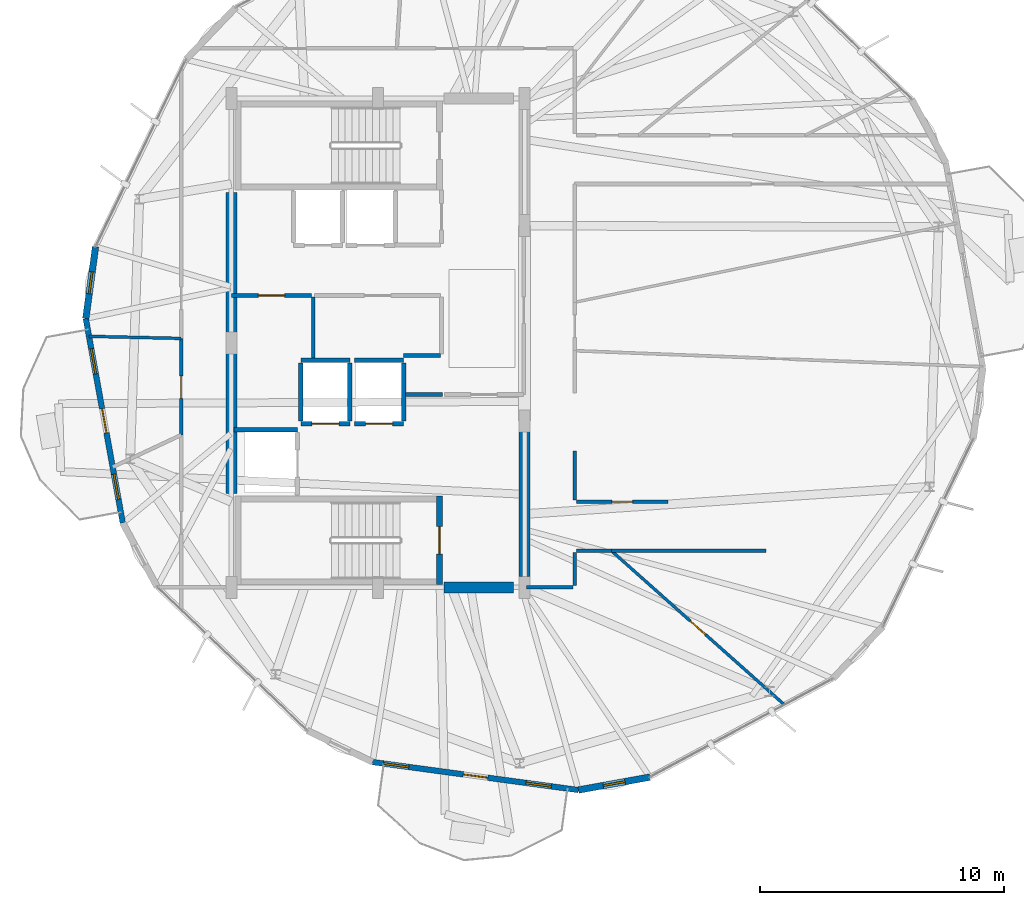
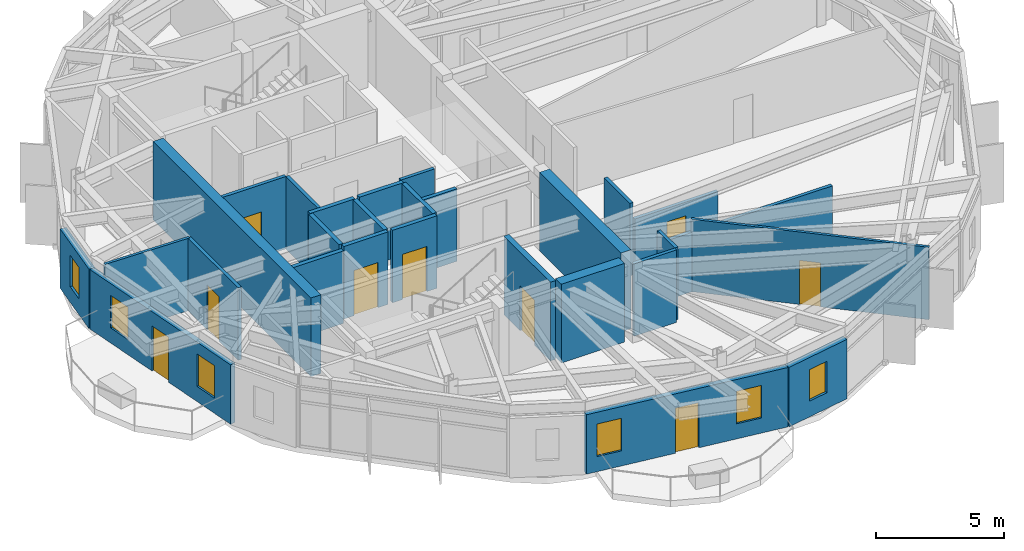
# One storey, part 21 of 26: 29 walls, 9 doors, 6 windows, 15 openings.
"""IFC4 building model written with IfcOpenShell, lengths in metres."""

from ifc_helpers import new_model, si_unit, direction, frame, frame_2d, origin, place, context, subcontext, project, spatial, rectangle, extrude, material, layer, layer_set, type_object, element, fill, save


model = new_model("IFC4")

# Units and contexts
model_context = context("Model", 3, precision=1e-05, world=origin(), true_north=direction((0.0, 1.0)))
body_context = subcontext(model_context, "Body", "Model", "MODEL_VIEW")
ifc_project = project(units=[si_unit("LENGTHUNIT", "METRE"), si_unit("AREAUNIT", "SQUARE_METRE"), si_unit("VOLUMEUNIT", "CUBIC_METRE"), si_unit("PLANEANGLEUNIT", "RADIAN"), si_unit("MASSUNIT", "GRAM", prefix="KILO")], contexts=[model_context])

# Site, building, storey
site_placement = place(None, origin())
site = spatial("IfcSite", under=ifc_project, at=site_placement, CompositionType="ELEMENT")
building_placement = place(site_placement, origin())
building = spatial("IfcBuilding", under=site, at=building_placement, Name="Soratama Intermodal Tower", CompositionType="ELEMENT")
storey_placement = place(building_placement, frame((0.0, 0.0, 268.75)))
storey = spatial("IfcBuildingStorey", under=building, at=storey_placement, Name="L68", CompositionType="ELEMENT", Elevation=268.75)

# Wall, openings, door, windows
ifc_material_1 = material(Name="Concrete f'c 42 MPa", Category="concrete")
ifc_layer_1 = layer(ifc_material_1, 0.22998046875)
ifc_layer_set_1 = layer_set([ifc_layer_1], Name="Concrete f'c 42 MPa")
wall_type_1 = type_object("IfcWallType", Name="EW-BAL-230", PredefinedType="SOLIDWALL", material=ifc_layer_set_1)
wall_1_placement = place(storey_placement, frame((26.649169921875, 25.997314453125, 0.0), z_axis=(0.0, 0.0, 1.0), x_axis=(0.178109410328, -0.984010689958, 0.0)))
wall_1 = element("IfcWall", 1, at=wall_1_placement, inside=storey, type_object=wall_type_1, Name="L68 Terrace Wall F04", PredefinedType="SOLIDWALL", context=body_context, shape_type="SweptSolid", body=[
    extrude(rectangle(XDim=8.5, YDim=0.22998046875, at=frame_2d((4.25, 0.0))), origin(), (0.0, 0.0, 1.0), 2.8291015625),
])
opening_1_placement = place(wall_1_placement, frame((3.75, 0.0, 0.0)))
opening_1 = element("IfcOpeningElement", 2, at=opening_1_placement, cuts=wall_1, Name="Opening ED-2", PredefinedType="OPENING", context=body_context, shape_type="SweptSolid", body=[
    extrude(rectangle(XDim=1.0, YDim=2.14990234375, at=frame_2d((0.5, 1.074951171875))), frame((0.0, 0.125, 0.0), z_axis=(0.0, -1.0, 0.0), x_axis=(1.0, 0.0, 0.0)), (0.0, 0.0, 1.0), 0.25),
])
opening_2_placement = place(wall_1_placement, frame((1.25, 0.0, 0.719970703125)))
opening_2 = element("IfcOpeningElement", 3, at=opening_2_placement, cuts=wall_1, Name="Opening WN-5", PredefinedType="OPENING", context=body_context, shape_type="SweptSolid", body=[
    extrude(rectangle(XDim=1.050048828125, YDim=1.550048828125, at=frame_2d((0.52490234375, 0.77490234375))), frame((0.0, 0.125, 0.0), z_axis=(0.0, -1.0, 0.0), x_axis=(1.0, 0.0, 0.0)), (0.0, 0.0, 1.0), 0.25),
])
opening_3_placement = place(wall_1_placement, frame((6.4697265625, 0.0, 0.719970703125)))
opening_3 = element("IfcOpeningElement", 4, at=opening_3_placement, cuts=wall_1, Name="Opening WN-5", PredefinedType="OPENING", context=body_context, shape_type="SweptSolid", body=[
    extrude(rectangle(XDim=1.050048828125, YDim=1.550048828125, at=frame_2d((0.52490234375, 0.77490234375))), frame((0.0, 0.125, 0.0), z_axis=(0.0, -1.0, 0.0), x_axis=(1.0, 0.0, 0.0)), (0.0, 0.0, 1.0), 0.25),
])
ifc_material_2 = material(Name="Double-glazed aluminium door", Category="aluminium")
door_type_1 = type_object("IfcDoorType", Name="DR-BAL-1000", OperationType="NOTDEFINED", PredefinedType="DOOR", material=ifc_material_2)
door_1_placement = place(opening_1_placement, origin())
door_1 = element("IfcDoor", 5, at=door_1_placement, inside=storey, type_object=door_type_1, Name="L68 Balcony Door F04", OperationType="SINGLE_SWING_RIGHT", OverallHeight=2.14990234375, OverallWidth=1.0, PredefinedType="DOOR", context=body_context, shape_type="SweptSolid", body=[
    extrude(rectangle(XDim=1.0, YDim=2.14990234375, at=frame_2d((0.5, 1.074951171875))), frame((0.0, 0.02490234375, 0.0), z_axis=(0.0, -1.0, 0.0), x_axis=(1.0, 0.0, 0.0)), (0.0, 0.0, 1.0), 0.050048828125),
])
fill(opening_1, door_1)
ifc_material_3 = material(Name="Double-glazed aluminium window", Category="aluminium")
window_type_1 = type_object("IfcWindowType", Name="WN-FAC-1050", PartitioningType="SINGLE_PANEL", PredefinedType="WINDOW", material=ifc_material_3)
window_1_placement = place(opening_2_placement, origin())
window_1 = element("IfcWindow", 6, at=window_1_placement, inside=storey, type_object=window_type_1, Name="L68 Window A F04", OverallHeight=1.550048828125, OverallWidth=1.050048828125, PartitioningType="SINGLE_PANEL", PredefinedType="WINDOW", context=body_context, shape_type="SweptSolid", body=[
    extrude(rectangle(XDim=1.050048828125, YDim=1.550048828125, at=frame_2d((0.52490234375, 0.77490234375))), frame((0.0, 0.030029296875, 0.0), z_axis=(0.0, -1.0, 0.0), x_axis=(1.0, 0.0, 0.0)), (0.0, 0.0, 1.0), 0.06005859375),
])
fill(opening_2, window_1)
window_2_placement = place(opening_3_placement, origin())
window_2 = element("IfcWindow", 7, at=window_2_placement, inside=storey, type_object=window_type_1, Name="L68 Window B F04", OverallHeight=1.550048828125, OverallWidth=1.050048828125, PartitioningType="SINGLE_PANEL", PredefinedType="WINDOW", context=body_context, shape_type="SweptSolid", body=[
    extrude(rectangle(XDim=1.050048828125, YDim=1.550048828125, at=frame_2d((0.52490234375, 0.77490234375))), frame((0.0, 0.030029296875, 0.0), z_axis=(0.0, -1.0, 0.0), x_axis=(1.0, 0.0, 0.0)), (0.0, 0.0, 1.0), 0.06005859375),
])
fill(opening_3, window_2)

wall_2_placement = place(storey_placement, frame((38.380859375, 7.85546875, 0.0), z_axis=(0.0, 0.0, 1.0), x_axis=(0.990888802367, -0.134682520561, 0.0)))
wall_2 = element("IfcWall", 8, at=wall_2_placement, inside=storey, type_object=wall_type_1, Name="L68 Terrace Wall F06", PredefinedType="SOLIDWALL", context=body_context, shape_type="SweptSolid", body=[
    extrude(rectangle(XDim=8.499755859375, YDim=0.22998046875, at=frame_2d((4.25, 0.0))), origin(), (0.0, 0.0, 1.0), 2.8291015625),
])
opening_4_placement = place(wall_2_placement, frame((3.75, 0.0, 0.0)))
opening_4 = element("IfcOpeningElement", 9, at=opening_4_placement, cuts=wall_2, Name="Opening ED-2", PredefinedType="OPENING", context=body_context, shape_type="SweptSolid", body=[
    extrude(rectangle(XDim=1.0, YDim=2.14990234375, at=frame_2d((0.5, 1.074951171875))), frame((0.0, 0.125, 0.0), z_axis=(0.0, -1.0, 0.0), x_axis=(1.0, 0.0, 0.0)), (0.0, 0.0, 1.0), 0.25),
])
opening_5_placement = place(wall_2_placement, frame((0.43994140625, 0.0, 0.719970703125)))
opening_5 = element("IfcOpeningElement", 10, at=opening_5_placement, cuts=wall_2, Name="Opening WN-5", PredefinedType="OPENING", context=body_context, shape_type="SweptSolid", body=[
    extrude(rectangle(XDim=1.050048828125, YDim=1.550048828125, at=frame_2d((0.52490234375, 0.77490234375))), frame((0.0, 0.125, 0.0), z_axis=(0.0, -1.0, 0.0), x_axis=(1.0, 0.0, 0.0)), (0.0, 0.0, 1.0), 0.25),
])
opening_6_placement = place(wall_2_placement, frame((6.3349609375, 0.0, 0.719970703125)))
opening_6 = element("IfcOpeningElement", 11, at=opening_6_placement, cuts=wall_2, Name="Opening WN-5", PredefinedType="OPENING", context=body_context, shape_type="SweptSolid", body=[
    extrude(rectangle(XDim=1.050048828125, YDim=1.550048828125, at=frame_2d((0.52490234375, 0.77490234375))), frame((0.0, 0.125, 0.0), z_axis=(0.0, -1.0, 0.0), x_axis=(1.0, 0.0, 0.0)), (0.0, 0.0, 1.0), 0.25),
])
door_2_placement = place(opening_4_placement, origin())
door_2 = element("IfcDoor", 12, at=door_2_placement, inside=storey, type_object=door_type_1, Name="L68 Balcony Door F06", OperationType="SINGLE_SWING_RIGHT", OverallHeight=2.14990234375, OverallWidth=1.0, PredefinedType="DOOR", context=body_context, shape_type="SweptSolid", body=[
    extrude(rectangle(XDim=1.0, YDim=2.14990234375, at=frame_2d((0.5, 1.074951171875))), frame((0.0, 0.02490234375, 0.0), z_axis=(0.0, -1.0, 0.0), x_axis=(1.0, 0.0, 0.0)), (0.0, 0.0, 1.0), 0.050048828125),
])
fill(opening_4, door_2)
window_3_placement = place(opening_5_placement, origin())
window_3 = element("IfcWindow", 13, at=window_3_placement, inside=storey, type_object=window_type_1, Name="L68 Window A F06", OverallHeight=1.550048828125, OverallWidth=1.050048828125, PartitioningType="SINGLE_PANEL", PredefinedType="WINDOW", context=body_context, shape_type="SweptSolid", body=[
    extrude(rectangle(XDim=1.050048828125, YDim=1.550048828125, at=frame_2d((0.52490234375, 0.77490234375))), frame((0.0, 0.030029296875, 0.0), z_axis=(0.0, -1.0, 0.0), x_axis=(1.0, 0.0, 0.0)), (0.0, 0.0, 1.0), 0.06005859375),
])
fill(opening_5, window_3)
window_4_placement = place(opening_6_placement, origin())
window_4 = element("IfcWindow", 14, at=window_4_placement, inside=storey, type_object=window_type_1, Name="L68 Window B F06", OverallHeight=1.550048828125, OverallWidth=1.050048828125, PartitioningType="SINGLE_PANEL", PredefinedType="WINDOW", context=body_context, shape_type="SweptSolid", body=[
    extrude(rectangle(XDim=1.050048828125, YDim=1.550048828125, at=frame_2d((0.52490234375, 0.77490234375))), frame((0.0, 0.030029296875, 0.0), z_axis=(0.0, -1.0, 0.0), x_axis=(1.0, 0.0, 0.0)), (0.0, 0.0, 1.0), 0.06005859375),
])
fill(opening_6, window_4)

# Wall, opening, window
ifc_material_4 = material(Name="Concrete f'c 42 MPa", Category="concrete")
ifc_layer_2 = layer(ifc_material_4, 0.27001953125)
ifc_layer_set_2 = layer_set([ifc_layer_2], Name="Concrete f'c 42 MPa")
wall_type_2 = type_object("IfcWallType", Name="EW-CRN-270", PredefinedType="SOLIDWALL", material=ifc_layer_set_2)
wall_3_placement = place(storey_placement, frame((27.048583984375, 28.936767578125, 0.0), z_axis=(0.0, 0.0, 1.0), x_axis=(-0.134643093572, -0.99089416052, 0.0)))
wall_3 = element("IfcWall", 15, at=wall_3_placement, inside=storey, type_object=wall_type_2, Name="L68 Corner Closure Wall 03", PredefinedType="SOLIDWALL", context=body_context, shape_type="SweptSolid", body=[
    extrude(rectangle(XDim=2.966552734375, YDim=0.27001953125, at=frame_2d((1.4833984375, 0.0))), origin(), (0.0, 0.0, 1.0), 2.8291015625),
])
opening_7_placement = place(wall_3_placement, frame((1.033203125, 0.0, 0.75)))
opening_7 = element("IfcOpeningElement", 16, at=opening_7_placement, cuts=wall_3, Name="Opening WN-6", PredefinedType="OPENING", context=body_context, shape_type="SweptSolid", body=[
    extrude(rectangle(XDim=0.89990234375, YDim=1.5, at=frame_2d((0.449951171875, 0.75))), frame((0.0, 0.14501953125, 0.0), z_axis=(0.0, -1.0, 0.0), x_axis=(1.0, 0.0, 0.0)), (0.0, 0.0, 1.0), 0.2900390625),
])
ifc_material_5 = material(Name="Double-glazed aluminium window", Category="aluminium")
window_type_2 = type_object("IfcWindowType", Name="WN-FAC-900", PartitioningType="SINGLE_PANEL", PredefinedType="WINDOW", material=ifc_material_5)
window_5_placement = place(opening_7_placement, origin())
window_5 = element("IfcWindow", 17, at=window_5_placement, inside=storey, type_object=window_type_2, Name="L68 Corner Window 03", OverallHeight=1.5, OverallWidth=0.89990234375, PartitioningType="SINGLE_PANEL", PredefinedType="WINDOW", context=body_context, shape_type="SweptSolid", body=[
    extrude(rectangle(XDim=0.89990234375, YDim=1.5, at=frame_2d((0.449951171875, 0.75))), frame((0.0, 0.030029296875, 0.0), z_axis=(0.0, -1.0, 0.0), x_axis=(1.0, 0.0, 0.0)), (0.0, 0.0, 1.0), 0.06005859375),
])
fill(opening_7, window_5)

wall_4_placement = place(storey_placement, frame((46.80322265625, 6.710693359375, 0.0), z_axis=(0.0, 0.0, 1.0), x_axis=(0.984014428721, 0.178088753346, 0.0)))
wall_4 = element("IfcWall", 18, at=wall_4_placement, inside=storey, type_object=wall_type_2, Name="L68 Corner Closure Wall 06", PredefinedType="SOLIDWALL", context=body_context, shape_type="SweptSolid", body=[
    extrude(rectangle(XDim=2.966552734375, YDim=0.27001953125, at=frame_2d((1.4833984375, 0.0))), origin(), (0.0, 0.0, 1.0), 2.8291015625),
])
opening_8_placement = place(wall_4_placement, frame((1.033203125, 0.0, 0.75)))
opening_8 = element("IfcOpeningElement", 19, at=opening_8_placement, cuts=wall_4, Name="Opening WN-6", PredefinedType="OPENING", context=body_context, shape_type="SweptSolid", body=[
    extrude(rectangle(XDim=0.89990234375, YDim=1.5, at=frame_2d((0.449951171875, 0.75))), frame((0.0, 0.14501953125, 0.0), z_axis=(0.0, -1.0, 0.0), x_axis=(1.0, 0.0, 0.0)), (0.0, 0.0, 1.0), 0.2900390625),
])
window_6_placement = place(opening_8_placement, origin())
window_6 = element("IfcWindow", 20, at=window_6_placement, inside=storey, type_object=window_type_2, Name="L68 Corner Window 06", OverallHeight=1.5, OverallWidth=0.89990234375, PartitioningType="SINGLE_PANEL", PredefinedType="WINDOW", context=body_context, shape_type="SweptSolid", body=[
    extrude(rectangle(XDim=0.89990234375, YDim=1.5, at=frame_2d((0.449951171875, 0.75))), frame((0.0, 0.030029296875, 0.0), z_axis=(0.0, -1.0, 0.0), x_axis=(1.0, 0.0, 0.0)), (0.0, 0.0, 1.0), 0.06005859375),
])
fill(opening_8, window_6)

# Wall, opening, door
ifc_material_6 = material(Name="Fire-rated gypsum stud partition", Category="concrete")
ifc_layer_3 = layer(ifc_material_6, 0.14990234375)
ifc_layer_set_3 = layer_set([ifc_layer_3], Name="Fire-rated gypsum stud partition")
wall_type_3 = type_object("IfcWallType", Name="IW-PART-R150", PredefinedType="PARTITIONING", material=ifc_layer_set_3)
wall_5_placement = place(storey_placement, frame((30.550048828125, 21.23388671875, 0.0), z_axis=(0.0, 0.0, 1.0), x_axis=(0.0, 1.0, 0.0)))
wall_5 = element("IfcWall", 21, at=wall_5_placement, inside=storey, type_object=wall_type_3, Name="L68 Partition W-L68-TP019", PredefinedType="PARTITIONING", context=body_context, shape_type="SweptSolid", body=[
    extrude(rectangle(XDim=3.951171875, YDim=0.14990234375, at=frame_2d((1.9755859375, 0.0))), origin(), (0.0, 0.0, 1.0), 3.449951171875),
])
opening_9_placement = place(wall_5_placement, frame((1.5, 0.0, 0.0)))
opening_9 = element("IfcOpeningElement", 22, at=opening_9_placement, cuts=wall_5, Name="Opening ID-6", PredefinedType="OPENING", context=body_context, shape_type="SweptSolid", body=[
    extrude(rectangle(XDim=0.919921875, YDim=2.1201171875, at=frame_2d((0.4599609375, 1.06005859375))), frame((0.0, 0.0849609375, 0.0), z_axis=(0.0, -1.0, 0.0), x_axis=(1.0, 0.0, 0.0)), (0.0, 0.0, 1.0), 0.169921875),
])
ifc_material_7 = material(Name="Solid hardwood acoustic door", Category="wood")
door_type_2 = type_object("IfcDoorType", Name="DR-ROOM-920", OperationType="NOTDEFINED", PredefinedType="DOOR", material=ifc_material_7)
door_3_placement = place(opening_9_placement, origin())
door_3 = element("IfcDoor", 23, at=door_3_placement, inside=storey, type_object=door_type_2, Name="L68 Door D-L68-TP010", OperationType="SINGLE_SWING_LEFT", OverallHeight=2.1201171875, OverallWidth=0.919921875, PredefinedType="DOOR", context=body_context, shape_type="SweptSolid", body=[
    extrude(rectangle(XDim=0.919921875, YDim=2.1201171875, at=frame_2d((0.4599609375, 1.06005859375))), frame((0.0, 0.02490234375, 0.0), z_axis=(0.0, -1.0, 0.0), x_axis=(1.0, 0.0, 0.0)), (0.0, 0.0, 1.0), 0.050048828125),
])
fill(opening_9, door_3)

wall_6_placement = place(storey_placement, frame((35.889892578125, 26.93994140625, 0.0), z_axis=(0.0, 0.0, 1.0), x_axis=(-1.0, 0.0, 0.0)))
wall_6 = element("IfcWall", 24, at=wall_6_placement, inside=storey, type_object=wall_type_3, Name="L68 Partition W-L68-TP021", PredefinedType="PARTITIONING", context=body_context, shape_type="SweptSolid", body=[
    extrude(rectangle(XDim=3.289794921875, YDim=0.14990234375, at=frame_2d((1.64501953125, 0.0))), origin(), (0.0, 0.0, 1.0), 3.449951171875),
])
opening_10_placement = place(wall_6_placement, frame((1.10498046875, 0.0, 0.0)))
opening_10 = element("IfcOpeningElement", 25, at=opening_10_placement, cuts=wall_6, Name="Opening ID-1", PredefinedType="OPENING", context=body_context, shape_type="SweptSolid", body=[
    extrude(rectangle(XDim=1.080078125, YDim=2.14990234375, at=frame_2d((0.5400390625, 1.074951171875))), frame((0.0, 0.0849609375, 0.0), z_axis=(0.0, -1.0, 0.0), x_axis=(1.0, 0.0, 0.0)), (0.0, 0.0, 1.0), 0.169921875),
])
ifc_material_8 = material(Name="Solid hardwood acoustic door", Category="wood")
door_type_3 = type_object("IfcDoorType", Name="DR-LOB-FD60", OperationType="NOTDEFINED", PredefinedType="DOOR", material=ifc_material_8)
door_4_placement = place(opening_10_placement, origin())
door_4 = element("IfcDoor", 26, at=door_4_placement, inside=storey, type_object=door_type_3, Name="L68 Door D-L68-TP011", OperationType="SINGLE_SWING_RIGHT", OverallHeight=2.14990234375, OverallWidth=1.080078125, PredefinedType="DOOR", context=body_context, shape_type="SweptSolid", body=[
    extrude(rectangle(XDim=1.080078125, YDim=2.14990234375, at=frame_2d((0.5400390625, 1.074951171875))), frame((0.0, 0.02490234375, 0.0), z_axis=(0.0, -1.0, 0.0), x_axis=(1.0, 0.0, 0.0)), (0.0, 0.0, 1.0), 0.050048828125),
])
fill(opening_10, door_4)

# Walls
wall_7_placement = place(storey_placement, frame((35.949951171875, 26.8798828125, 0.0), z_axis=(0.0, 0.0, 1.0), x_axis=(0.0, -1.0, 0.0)))
element("IfcWall", 27, at=wall_7_placement, inside=storey, type_object=wall_type_3, Name="L68 Partition W-L68-TP026", PredefinedType="PARTITIONING", context=body_context, shape_type="SweptSolid", body=[
    extrude(rectangle(XDim=2.579833984375, YDim=0.14990234375, at=frame_2d((1.2900390625, 0.0))), origin(), (0.0, 0.0, 1.0), 3.449951171875),
])
wall_8_placement = place(storey_placement, frame((46.580078125, 15.0, 0.0), z_axis=(0.0, 0.0, 1.0), x_axis=(-1.0, 0.0, 0.0)))
element("IfcWall", 28, at=wall_8_placement, inside=storey, type_object=wall_type_3, Name="L68 Partition W-L68-TP031", PredefinedType="PARTITIONING", context=body_context, shape_type="SweptSolid", body=[
    extrude(rectangle(XDim=1.91015625, YDim=0.14990234375, at=frame_2d((0.955078125, 0.0))), origin(), (0.0, 0.0, 1.0), 3.449951171875),
])
wall_9_placement = place(storey_placement, frame((39.64990234375, 24.485107421875, 0.0), z_axis=(0.0, 0.0, 1.0), x_axis=(1.0, 0.0, 0.0)))
element("IfcWall", 29, at=wall_9_placement, inside=storey, type_object=wall_type_3, Name="L68 Partition W-L68-TP036", PredefinedType="PARTITIONING", context=body_context, shape_type="SweptSolid", body=[
    extrude(rectangle(XDim=1.510009765625, YDim=0.14990234375, at=frame_2d((0.7548828125, 0.0))), origin(), (0.0, 0.0, 1.0), 3.449951171875),
])
wall_10_placement = place(storey_placement, frame((48.14892578125, 16.5, 0.0), z_axis=(0.0, 0.0, 1.0), x_axis=(-1.0, 0.0, 0.0)))
element("IfcWall", 30, at=wall_10_placement, inside=storey, type_object=wall_type_3, Name="L68 Partition W-L68-TP037", PredefinedType="PARTITIONING", context=body_context, shape_type="SweptSolid", body=[
    extrude(rectangle(XDim=1.428955078125, YDim=0.14990234375, at=frame_2d((0.71435546875, 0.0))), origin(), (0.0, 0.0, 1.0), 2.827880859375),
])
wall_11_placement = place(storey_placement, frame((46.64990234375, 16.429931640625, 0.0), z_axis=(0.0, 0.0, 1.0), x_axis=(0.0, -1.0, 0.0)))
element("IfcWall", 31, at=wall_11_placement, inside=storey, type_object=wall_type_3, Name="L68 Partition W-L68-TP038", PredefinedType="PARTITIONING", context=body_context, shape_type="SweptSolid", body=[
    extrude(rectangle(XDim=1.35986328125, YDim=0.14990234375, at=frame_2d((0.679931640625, 0.0))), origin(), (0.0, 0.0, 1.0), 3.449951171875),
])
wall_12_placement = place(storey_placement, frame((54.471923828125, 16.5, 0.0), z_axis=(0.0, 0.0, 1.0), x_axis=(-1.0, 0.0, 0.0)))
element("IfcWall", 32, at=wall_12_placement, inside=storey, type_object=wall_type_3, Name="L68 Partition W-L68-TP039", PredefinedType="PARTITIONING", context=body_context, shape_type="SweptSolid", body=[
    extrude(rectangle(XDim=6.322998046875, YDim=0.14990234375, at=frame_2d((3.16162109375, 0.0))), origin(), (0.0, 0.0, 1.0), 2.827880859375),
])

# Wall, opening, door
wall_13_placement = place(storey_placement, frame((46.719970703125, 18.5, 0.0), z_axis=(0.0, 0.0, 1.0), x_axis=(1.0, 0.0, 0.0)))
wall_13 = element("IfcWall", 33, at=wall_13_placement, inside=storey, type_object=wall_type_3, Name="L68 Partition W-L68-TP040", PredefinedType="PARTITIONING", context=body_context, shape_type="SweptSolid", body=[
    extrude(rectangle(XDim=3.7509765625, YDim=0.14990234375, at=frame_2d((1.87548828125, 0.0))), origin(), (0.0, 0.0, 1.0), 2.7451171875),
])
opening_11_placement = place(wall_13_placement, frame((1.449951171875, 0.0, 0.0)))
opening_11 = element("IfcOpeningElement", 34, at=opening_11_placement, cuts=wall_13, Name="Opening ID-4", PredefinedType="OPENING", context=body_context, shape_type="SweptSolid", body=[
    extrude(rectangle(XDim=0.85009765625, YDim=2.10009765625, at=frame_2d((0.425048828125, 1.050048828125))), frame((0.0, 0.0849609375, 0.0), z_axis=(0.0, -1.0, 0.0), x_axis=(1.0, 0.0, 0.0)), (0.0, 0.0, 1.0), 0.169921875),
])
ifc_material_9 = material(Name="Solid hardwood acoustic door", Category="wood")
door_type_4 = type_object("IfcDoorType", Name="DR-BATH-850", OperationType="NOTDEFINED", PredefinedType="DOOR", material=ifc_material_9)
door_5_placement = place(opening_11_placement, origin())
door_5 = element("IfcDoor", 35, at=door_5_placement, inside=storey, type_object=door_type_4, Name="L68 Door D-L68-TP018", OperationType="SINGLE_SWING_LEFT", OverallHeight=2.10009765625, OverallWidth=0.85009765625, PredefinedType="DOOR", context=body_context, shape_type="SweptSolid", body=[
    extrude(rectangle(XDim=0.85009765625, YDim=2.10009765625, at=frame_2d((0.425048828125, 1.050048828125))), frame((0.0, 0.02490234375, 0.0), z_axis=(0.0, -1.0, 0.0), x_axis=(1.0, 0.0, 0.0)), (0.0, 0.0, 1.0), 0.050048828125),
])
fill(opening_11, door_5)

# Walls
wall_14_placement = place(storey_placement, frame((46.64990234375, 20.576904296875, 0.0), z_axis=(0.0, 0.0, 1.0), x_axis=(0.0, -1.0, 0.0)))
element("IfcWall", 36, at=wall_14_placement, inside=storey, type_object=wall_type_3, Name="L68 Partition W-L68-TP041", PredefinedType="PARTITIONING", context=body_context, shape_type="SweptSolid", body=[
    extrude(rectangle(XDim=2.0068359375, YDim=0.14990234375, at=frame_2d((1.00341796875, 0.0))), origin(), (0.0, 0.0, 1.0), 3.449951171875),
])
ifc_material_10 = material(Name="Fire-rated gypsum stud partition", Category="concrete")
ifc_layer_4 = layer(ifc_material_10, 0.169921875)
ifc_layer_set_4 = layer_set([ifc_layer_4], Name="Fire-rated gypsum stud partition")
wall_type_4 = type_object("IfcWallType", Name="IW-PART-R170", PredefinedType="PARTITIONING", material=ifc_layer_set_4)
wall_15_placement = place(storey_placement, frame((39.719970703125, 22.889892578125, 0.0), z_axis=(0.0, 0.0, 1.0), x_axis=(1.0, 0.0, 0.0)))
element("IfcWall", 37, at=wall_15_placement, inside=storey, type_object=wall_type_4, Name="L68 Partition W-L68-TP035", PredefinedType="PARTITIONING", context=body_context, shape_type="SweptSolid", body=[
    extrude(rectangle(XDim=1.52001953125, YDim=0.169921875, at=frame_2d((0.760009765625, 0.0))), origin(), (0.0, 0.0, 1.0), 3.449951171875),
])

# Wall, opening, door
ifc_material_11 = material(Name="Fire-rated gypsum stud partition", Category="concrete")
ifc_layer_5 = layer(ifc_material_11, 0.1201171875)
ifc_layer_set_5 = layer_set([ifc_layer_5], Name="Fire-rated gypsum stud partition")
wall_type_5 = type_object("IfcWallType", Name="IW-PART-S120", PredefinedType="PARTITIONING", material=ifc_layer_set_5)
wall_16_placement = place(storey_placement, frame((48.14892578125, 16.5, 0.0), z_axis=(0.0, 0.0, 1.0), x_axis=(0.746964286296, -0.664864162816, 0.0)))
wall_16 = element("IfcWall", 38, at=wall_16_placement, inside=storey, type_object=wall_type_5, Name="L68 Partition W-L68-TP005", PredefinedType="PARTITIONING", context=body_context, shape_type="SweptSolid", body=[
    extrude(rectangle(XDim=9.47705078125, YDim=0.1201171875, at=frame_2d((4.738525390625, 0.0))), origin(), (0.0, 0.0, 1.0), 3.449951171875),
])
opening_12_placement = place(wall_16_placement, frame((4.31396484375, 0.0, 0.0)))
opening_12 = element("IfcOpeningElement", 39, at=opening_12_placement, cuts=wall_16, Name="Opening ID-4", PredefinedType="OPENING", context=body_context, shape_type="SweptSolid", body=[
    extrude(rectangle(XDim=0.85009765625, YDim=2.10009765625, at=frame_2d((0.425048828125, 1.050048828125))), frame((0.0, 0.070068359375, 0.0), z_axis=(0.0, -1.0, 0.0), x_axis=(1.0, 0.0, 0.0)), (0.0, 0.0, 1.0), 0.14013671875),
])
door_6_placement = place(opening_12_placement, origin())
door_6 = element("IfcDoor", 40, at=door_6_placement, inside=storey, type_object=door_type_4, Name="L68 Door D-L68-TP017", OperationType="SINGLE_SWING_LEFT", OverallHeight=2.10009765625, OverallWidth=0.85009765625, PredefinedType="DOOR", context=body_context, shape_type="SweptSolid", body=[
    extrude(rectangle(XDim=0.85009765625, YDim=2.10009765625, at=frame_2d((0.425048828125, 1.050048828125))), frame((0.0, 0.02490234375, 0.0), z_axis=(0.0, -1.0, 0.0), x_axis=(1.0, 0.0, 0.0)), (0.0, 0.0, 1.0), 0.050048828125),
])
fill(opening_12, door_6)

# Wall
wall_17_placement = place(storey_placement, frame((30.550048828125, 25.18505859375, 0.0), z_axis=(0.0, 0.0, 1.0), x_axis=(-0.999740161223, 0.02279495639, 0.0)))
element("IfcWall", 41, at=wall_17_placement, inside=storey, type_object=wall_type_5, Name="L68 Partition W-L68-TP020", PredefinedType="PARTITIONING", context=body_context, shape_type="SweptSolid", body=[
    extrude(rectangle(XDim=3.77001953125, YDim=0.1201171875, at=frame_2d((1.885009765625, 0.0))), origin(), (0.0, 0.0, 1.0), 3.449951171875),
])

# Wall, opening, door
ifc_material_12 = material(Name="Concrete f'c 42 MPa", Category="concrete")
ifc_layer_6 = layer(ifc_material_12, 0.18505859375)
ifc_layer_set_6 = layer_set([ifc_layer_6], Name="Concrete f'c 42 MPa")
wall_type_6 = type_object("IfcWallType", Name="IW-SHAFT-185", PredefinedType="SOLIDWALL", material=ifc_layer_set_6)
wall_18_placement = place(storey_placement, frame((35.449951171875, 21.699951171875, 0.0), z_axis=(0.0, 0.0, 1.0), x_axis=(1.0, 0.0, 0.0)))
wall_18 = element("IfcWall", 42, at=wall_18_placement, inside=storey, type_object=wall_type_6, Name="L68 FFL-1 Hoistway Wall S", PredefinedType="SOLIDWALL", context=body_context, shape_type="SweptSolid", body=[
    extrude(rectangle(XDim=2.0, YDim=0.18505859375, at=frame_2d((1.0, 0.0))), origin(), (0.0, 0.0, 1.0), 3.449951171875),
])
opening_13_placement = place(wall_18_placement, frame((0.449951171875, 0.0, 0.0)))
opening_13 = element("IfcOpeningElement", 43, at=opening_13_placement, cuts=wall_18, Name="Opening LD-1", PredefinedType="OPENING", context=body_context, shape_type="SweptSolid", body=[
    extrude(rectangle(XDim=1.10009765625, YDim=2.14990234375, at=frame_2d((0.550048828125, 1.074951171875))), frame((0.0, 0.1025390625, 0.0), z_axis=(0.0, -1.0, 0.0), x_axis=(1.0, 0.0, 0.0)), (0.0, 0.0, 1.0), 0.205078125),
])
ifc_material_13 = material(Name="Steel fire door", Category="steel")
door_type_5 = type_object("IfcDoorType", Name="DR-LIFT-SLIDE", OperationType="NOTDEFINED", PredefinedType="DOOR", material=ifc_material_13)
door_7_placement = place(opening_13_placement, origin())
door_7 = element("IfcDoor", 44, at=door_7_placement, inside=storey, type_object=door_type_5, Name="L68 FFL-1 Sliding Landing Door", OperationType="SLIDING_TO_LEFT", OverallHeight=2.14990234375, OverallWidth=1.10009765625, PredefinedType="DOOR", context=body_context, shape_type="SweptSolid", body=[
    extrude(rectangle(XDim=1.10009765625, YDim=2.14990234375, at=frame_2d((0.550048828125, 1.074951171875))), frame((0.0, 0.02490234375, 0.0), z_axis=(0.0, -1.0, 0.0), x_axis=(1.0, 0.0, 0.0)), (0.0, 0.0, 1.0), 0.050048828125),
])
fill(opening_13, door_7)

# Walls
wall_19_placement = place(storey_placement, frame((35.449951171875, 24.300048828125, 0.0), z_axis=(0.0, 0.0, 1.0), x_axis=(1.0, 0.0, 0.0)))
element("IfcWall", 45, at=wall_19_placement, inside=storey, type_object=wall_type_6, Name="L68 FFL-1 Hoistway Wall N", PredefinedType="SOLIDWALL", context=body_context, shape_type="SweptSolid", body=[
    extrude(rectangle(XDim=2.0, YDim=0.18505859375, at=frame_2d((1.0, 0.0))), origin(), (0.0, 0.0, 1.0), 3.449951171875),
])
for number, where, z_axis, x_axis, name in (
    (46, (35.449951171875, 21.81005859375, 0.0), (0.0, 0.0, 1.0), (0.0, 1.0, 0.0), "L68 FFL-1 Hoistway Wall W"),
    (47, (37.449951171875, 21.81005859375, 0.0), (0.0, 0.0, 1.0), (0.0, 1.0, 0.0), "L68 FFL-1 Hoistway Wall E"),
):
    element("IfcWall", number, at=place(storey_placement, frame(where, z_axis=z_axis, x_axis=x_axis)), inside=storey, type_object=wall_type_6, Name=name, PredefinedType="SOLIDWALL", context=body_context, shape_type="SweptSolid", body=[
        extrude(rectangle(XDim=2.3798828125, YDim=0.18505859375, at=frame_2d((1.18994140625, 0.0))), origin(), (0.0, 0.0, 1.0), 3.449951171875),
    ])

# Wall, opening, door
wall_20_placement = place(storey_placement, frame((37.64990234375, 21.699951171875, 0.0), z_axis=(0.0, 0.0, 1.0), x_axis=(1.0, 0.0, 0.0)))
wall_20 = element("IfcWall", 48, at=wall_20_placement, inside=storey, type_object=wall_type_6, Name="L68 FFL-2 Hoistway Wall S", PredefinedType="SOLIDWALL", context=body_context, shape_type="SweptSolid", body=[
    extrude(rectangle(XDim=2.0, YDim=0.18505859375, at=frame_2d((1.0, 0.0))), origin(), (0.0, 0.0, 1.0), 3.449951171875),
])
opening_14_placement = place(wall_20_placement, frame((0.449951171875, 0.0, 0.0)))
opening_14 = element("IfcOpeningElement", 49, at=opening_14_placement, cuts=wall_20, Name="Opening LD-1", PredefinedType="OPENING", context=body_context, shape_type="SweptSolid", body=[
    extrude(rectangle(XDim=1.10009765625, YDim=2.14990234375, at=frame_2d((0.550048828125, 1.074951171875))), frame((0.0, 0.1025390625, 0.0), z_axis=(0.0, -1.0, 0.0), x_axis=(1.0, 0.0, 0.0)), (0.0, 0.0, 1.0), 0.205078125),
])
door_8_placement = place(opening_14_placement, origin())
door_8 = element("IfcDoor", 50, at=door_8_placement, inside=storey, type_object=door_type_5, Name="L68 FFL-2 Sliding Landing Door", OperationType="SLIDING_TO_LEFT", OverallHeight=2.14990234375, OverallWidth=1.10009765625, PredefinedType="DOOR", context=body_context, shape_type="SweptSolid", body=[
    extrude(rectangle(XDim=1.10009765625, YDim=2.14990234375, at=frame_2d((0.550048828125, 1.074951171875))), frame((0.0, 0.02490234375, 0.0), z_axis=(0.0, -1.0, 0.0), x_axis=(1.0, 0.0, 0.0)), (0.0, 0.0, 1.0), 0.050048828125),
])
fill(opening_14, door_8)

# Walls
wall_21_placement = place(storey_placement, frame((37.64990234375, 24.300048828125, 0.0), z_axis=(0.0, 0.0, 1.0), x_axis=(1.0, 0.0, 0.0)))
element("IfcWall", 51, at=wall_21_placement, inside=storey, type_object=wall_type_6, Name="L68 FFL-2 Hoistway Wall N", PredefinedType="SOLIDWALL", context=body_context, shape_type="SweptSolid", body=[
    extrude(rectangle(XDim=2.0, YDim=0.18505859375, at=frame_2d((1.0, 0.0))), origin(), (0.0, 0.0, 1.0), 3.449951171875),
])
wall_22_placement = place(storey_placement, frame((39.64990234375, 21.81005859375, 0.0), z_axis=(0.0, 0.0, 1.0), x_axis=(0.0, 1.0, 0.0)))
element("IfcWall", 52, at=wall_22_placement, inside=storey, type_object=wall_type_6, Name="L68 FFL-2 Hoistway Wall E", PredefinedType="SOLIDWALL", context=body_context, shape_type="SweptSolid", body=[
    extrude(rectangle(XDim=2.3798828125, YDim=0.18505859375, at=frame_2d((1.18994140625, 0.0))), origin(), (0.0, 0.0, 1.0), 3.449951171875),
])
wall_23_placement = place(storey_placement, frame((32.719970703125, 21.449951171875, 0.0), z_axis=(0.0, 0.0, 1.0), x_axis=(1.0, 0.0, 0.0)))
element("IfcWall", 53, at=wall_23_placement, inside=storey, type_object=wall_type_6, Name="L68 SVL-1 Hoistway Wall N", PredefinedType="SOLIDWALL", context=body_context, shape_type="SweptSolid", body=[
    extrude(rectangle(XDim=2.580078125, YDim=0.18505859375, at=frame_2d((1.2900390625, 0.0))), origin(), (0.0, 0.0, 1.0), 3.449951171875),
])
ifc_material_14 = material(Name="Concrete f'c 56 MPa", Category="concrete")
ifc_layer_7 = layer(ifc_material_14, 0.449951171875)
ifc_layer_set_7 = layer_set([ifc_layer_7], Name="Concrete f'c 56 MPa")
wall_type_7 = type_object("IfcWallType", Name="SW-CORE-450", PredefinedType="SHEAR", material=ifc_layer_set_7)
wall_24_placement = place(storey_placement, frame((32.60009765625, 18.85009765625, 0.0), z_axis=(0.0, 0.0, 1.0), x_axis=(0.0, 1.0, 0.0)))
element("IfcWall", 54, at=wall_24_placement, inside=storey, type_object=wall_type_7, Name="L68 Core Shear Wall CW-WMID", PredefinedType="SHEAR", context=body_context, shape_type="SweptSolid", body=[
    extrude(rectangle(XDim=12.2998046875, YDim=0.449951171875, at=frame_2d((6.14990234375, 0.0))), origin(), (0.0, 0.0, 1.0), 3.75),
])
wall_25_placement = place(storey_placement, frame((41.300048828125, 15.0, 0.0), z_axis=(0.0, 0.0, 1.0), x_axis=(1.0, 0.0, 0.0)))
element("IfcWall", 55, at=wall_25_placement, inside=storey, type_object=wall_type_7, Name="L68 Core Shear Wall CW-SE", PredefinedType="SHEAR", context=body_context, shape_type="SweptSolid", body=[
    extrude(rectangle(XDim=2.849853515625, YDim=0.449951171875, at=frame_2d((1.4248046875, 0.0))), origin(), (0.0, 0.0, 1.0), 3.75),
])
wall_26_placement = place(storey_placement, frame((44.60009765625, 15.449951171875, 0.0), z_axis=(0.0, 0.0, 1.0), x_axis=(0.0, 1.0, 0.0)))
element("IfcWall", 56, at=wall_26_placement, inside=storey, type_object=wall_type_7, Name="L68 Core Shear Wall CW-ES", PredefinedType="SHEAR", context=body_context, shape_type="SweptSolid", body=[
    extrude(rectangle(XDim=6.35009765625, YDim=0.449951171875, at=frame_2d((3.175048828125, 0.0))), origin(), (0.0, 0.0, 1.0), 3.75),
])

# Wall, opening, door
ifc_material_15 = material(Name="Concrete f'c 56 MPa", Category="concrete")
ifc_layer_8 = layer(ifc_material_15, 0.239990234375)
ifc_layer_set_8 = layer_set([ifc_layer_8], Name="Concrete f'c 56 MPa")
wall_type_8 = type_object("IfcWallType", Name="SW-STAIR-240", PredefinedType="SHEAR", material=ifc_layer_set_8)
wall_27_placement = place(storey_placement, frame((41.1201171875, 15.110107421875, 0.0), z_axis=(0.0, 0.0, 1.0), x_axis=(0.0, 1.0, 0.0)))
wall_27 = element("IfcWall", 57, at=wall_27_placement, inside=storey, type_object=wall_type_8, Name="L68 ST-1 Shaft Shear Wall E", PredefinedType="SHEAR", context=body_context, shape_type="SweptSolid", body=[
    extrude(rectangle(XDim=3.6298828125, YDim=0.239990234375, at=frame_2d((1.81494140625, 0.0))), origin(), (0.0, 0.0, 1.0), 3.75),
])
opening_15_placement = place(wall_27_placement, frame((1.2548828125, 0.0, 0.0)))
opening_15 = element("IfcOpeningElement", 58, at=opening_15_placement, cuts=wall_27, Name="Opening SD-1", PredefinedType="OPENING", context=body_context, shape_type="SweptSolid", body=[
    extrude(rectangle(XDim=1.1201171875, YDim=2.14990234375, at=frame_2d((0.56005859375, 1.074951171875))), frame((0.0, 0.1298828125, 0.0), z_axis=(0.0, -1.0, 0.0), x_axis=(1.0, 0.0, 0.0)), (0.0, 0.0, 1.0), 0.260009765625),
])
ifc_material_16 = material(Name="Steel fire door", Category="steel")
door_type_6 = type_object("IfcDoorType", Name="DR-STAIR-FD90", OperationType="NOTDEFINED", PredefinedType="DOOR", material=ifc_material_16)
door_9_placement = place(opening_15_placement, origin())
door_9 = element("IfcDoor", 59, at=door_9_placement, inside=storey, type_object=door_type_6, Name="L68 ST-1 Exit Stair Door", OperationType="SINGLE_SWING_LEFT", OverallHeight=2.14990234375, OverallWidth=1.1201171875, PredefinedType="DOOR", context=body_context, shape_type="SweptSolid", body=[
    extrude(rectangle(XDim=1.1201171875, YDim=2.14990234375, at=frame_2d((0.56005859375, 1.074951171875))), frame((0.0, 0.02490234375, 0.0), z_axis=(0.0, -1.0, 0.0), x_axis=(1.0, 0.0, 0.0)), (0.0, 0.0, 1.0), 0.050048828125),
])
fill(opening_15, door_9)

save(model, "model.ifc")
